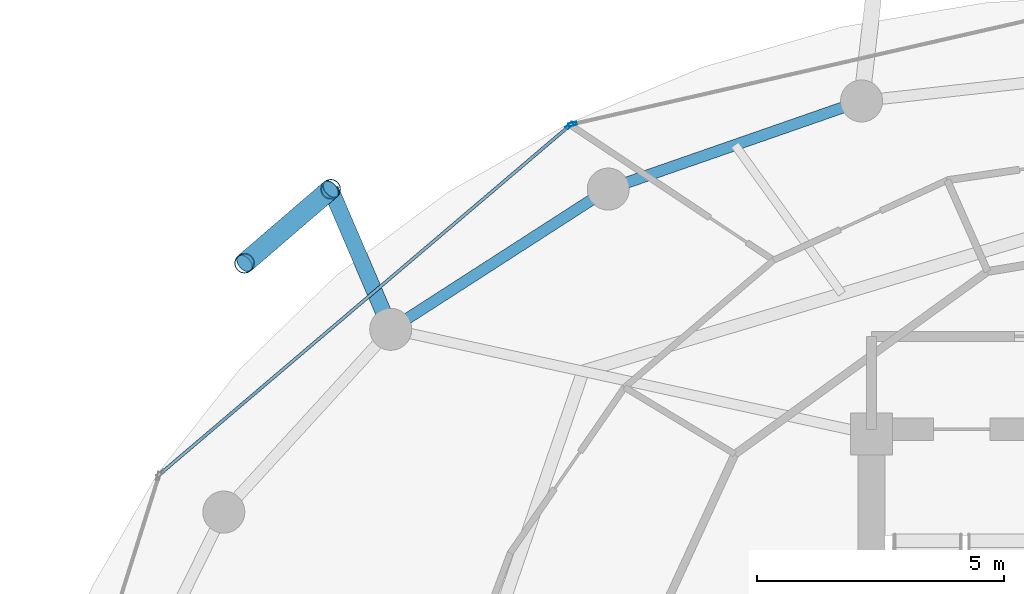
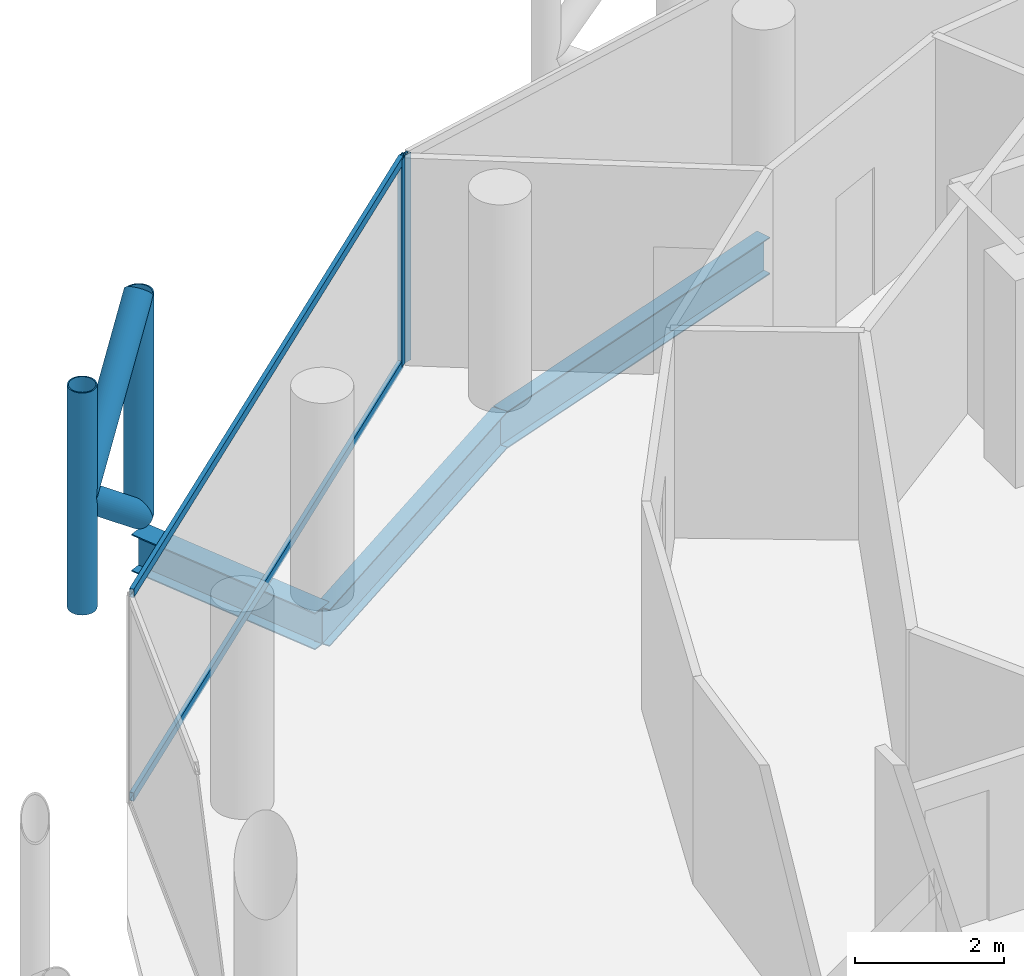
# One storey, part 18 of 27: 8 members, 3 beams, 2 elements without a shape of their own.
"""IFC4 building model written with IfcOpenShell, lengths in metres."""

from ifc_helpers import new_model, si_unit, direction, frame, origin, origin_2d, place, context, subcontext, project, spatial, hollow_rectangle, hollow_circle, i_section, extrude, material, layer, layer_set, material_profile, profile_set, type_object, element, aggregate, save


model = new_model("IFC4")

# Units and contexts
model_context = context("Model", 3, precision=1e-05, world=origin(), true_north=direction((0.0, 1.0)))
body_context = subcontext(model_context, "Body", "Model", "MODEL_VIEW")
ifc_project = project(units=[si_unit("LENGTHUNIT", "METRE"), si_unit("AREAUNIT", "SQUARE_METRE"), si_unit("VOLUMEUNIT", "CUBIC_METRE"), si_unit("PLANEANGLEUNIT", "RADIAN"), si_unit("MASSUNIT", "GRAM", prefix="KILO")], contexts=[model_context])

# Site, building, storey
site_placement = place(None, origin())
site = spatial("IfcSite", under=ifc_project, at=site_placement, CompositionType="ELEMENT")
building_placement = place(site_placement, origin())
building = spatial("IfcBuilding", under=site, at=building_placement, Name="Nuhasar Tower", CompositionType="ELEMENT")
storey_placement = place(building_placement, frame((0.0, 0.0, 230.050048828125)))
storey = spatial("IfcBuildingStorey", under=building, at=storey_placement, Name="L56", CompositionType="ELEMENT", Elevation=230.050048828125)

# Beams
ifc_material_1 = material(Name="Steel S355", Category="steel")
ifc_material_profile_1 = material_profile(ifc_material_1, i_section(OverallWidth=0.22802734375, OverallDepth=0.60791015625, WebThickness=0.01123046875, FlangeThickness=0.017333984375, at=origin_2d()), Name="W24X76")
ifc_profile_set_1 = profile_set([ifc_material_profile_1], Name="Steel S355")
beam_type_1 = type_object("IfcBeamType", Name="BM-RING-W24X76", PredefinedType="SPANDREL", material=ifc_profile_set_1)
beam_1_placement = place(storey_placement, frame((33.5, 44.0419921875, -0.5439453125), z_axis=(-0.944476764686, -0.328578211342, 0.0), x_axis=(0.328578211342, -0.944476764686, 0.0)))
element("IfcBeam", 1, at=beam_1_placement, inside=storey, type_object=beam_type_1, Name="L56 Perimeter Ring Spandrel 08", PredefinedType="SPANDREL", context=body_context, shape_type="SweptSolid", body=[
    extrude(i_section(OverallWidth=0.22802734375, OverallDepth=0.60791015625, WebThickness=0.01123046875, FlangeThickness=0.017333984375, at=origin_2d()), origin(), (0.0, 0.0, 1.0), 5.42626953125),
])
beam_2_placement = place(storey_placement, frame((28.375, 42.259033203125, -0.5439453125), z_axis=(-0.840502144969, -0.541808217272, 0.0), x_axis=(0.541808217272, -0.840502144969, 0.0)))
element("IfcBeam", 2, at=beam_2_placement, inside=storey, type_object=beam_type_1, Name="L56 Perimeter Ring Spandrel 09", PredefinedType="SPANDREL", context=body_context, shape_type="SweptSolid", body=[
    extrude(i_section(OverallWidth=0.22802734375, OverallDepth=0.60791015625, WebThickness=0.01123046875, FlangeThickness=0.017333984375, at=origin_2d()), origin(), (0.0, 0.0, 1.0), 5.236083984375),
])
ifc_material_profile_2 = material_profile(ifc_material_1, i_section(OverallWidth=0.323974609375, OverallDepth=0.611083984375, WebThickness=0.0126953125, FlangeThickness=0.01904296875, at=origin_2d()), Name="W24X104")
ifc_profile_set_2 = profile_set([ifc_material_profile_2], Name="Steel S355")
beam_type_2 = type_object("IfcBeamType", Name="BM-TIE-W24X104", PredefinedType="BEAM", material=ifc_profile_set_2)
beam_3_placement = place(storey_placement, frame((23.97412109375, 39.422119140625, -0.545166015625), z_axis=(-0.393680429682, 0.919247365667, 0.0), x_axis=(-0.919247365667, -0.393680429682, 0.0)))
element("IfcBeam", 3, at=beam_3_placement, inside=storey, type_object=beam_type_2, Name="L56 Exoskeleton Node Tie Beam 05", PredefinedType="BEAM", context=body_context, shape_type="SweptSolid", body=[
    extrude(i_section(OverallWidth=0.323974609375, OverallDepth=0.611083984375, WebThickness=0.0126953125, FlangeThickness=0.01904296875, at=origin_2d()), origin(), (0.0, 0.0, 1.0), 3.083984375),
])

# Curtain wall, member
ifc_material_2 = material(Name="Aluminium 6063-T6", Category="aluminium")
ifc_layer = layer(ifc_material_2, 0.18994140625)
ifc_layer_set = layer_set([ifc_layer], Name="Aluminium 6063-T6")
curtain_wall_type = type_object("IfcCurtainWallType", Name="CW-Z3-RES", PredefinedType="NOTDEFINED", material=ifc_layer_set)
curtain_wall_1_placement = place(storey_placement, origin())
curtain_wall_1 = element("IfcCurtainWall", 4, at=curtain_wall_1_placement, inside=storey, type_object=curtain_wall_type, Name="L56 Unitised Curtain Wall 04", PredefinedType="NOTDEFINED")
ifc_material_profile_3 = material_profile(ifc_material_2, hollow_rectangle(XDim=0.06494140625, YDim=0.169921875, WallThickness=0.0048828125, at=origin_2d()), Name="CWM-4")
ifc_profile_set_3 = profile_set([ifc_material_profile_3], Name="Aluminium 6063-T6")
member_type_1 = type_object("IfcMemberType", Name="CW-MUL-S4", PredefinedType="MULLION", material=ifc_profile_set_3)
member_1_placement = place(storey_placement, frame((27.651611328125, 43.5732421875, 0.0), z_axis=(0.0, 0.0, 1.0), x_axis=(0.222243176313, -0.974991266926, 0.0)))
member_1 = element("IfcMember", 5, at=member_1_placement, type_object=member_type_1, Name="CW-Z3 mullion 2", PredefinedType="MULLION", context=body_context, shape_type="SweptSolid", body=[
    extrude(hollow_rectangle(XDim=0.06494140625, YDim=0.169921875, WallThickness=0.0048828125, at=origin_2d()), origin(), (0.0, 0.0, 1.0), 3.409912109375),
])
aggregate(curtain_wall_1, [member_1])

# Curtain wall, members
curtain_wall_2_placement = place(storey_placement, origin())
curtain_wall_2 = element("IfcCurtainWall", 6, at=curtain_wall_2_placement, inside=storey, type_object=curtain_wall_type, Name="L56 Unitised Curtain Wall 05", PredefinedType="NOTDEFINED")
member_2_placement = place(storey_placement, frame((27.59521484375, 43.544921875, 0.0), z_axis=(0.0, 0.0, 1.0), x_axis=(0.64789521578, -0.761729472562, 0.0)))
member_2 = element("IfcMember", 7, at=member_2_placement, type_object=member_type_1, Name="CW-Z3 mullion 1", PredefinedType="MULLION", context=body_context, shape_type="SweptSolid", body=[
    extrude(hollow_rectangle(XDim=0.06494140625, YDim=0.169921875, WallThickness=0.0048828125, at=origin_2d()), origin(), (0.0, 0.0, 1.0), 3.409912109375),
])
ifc_material_profile_4 = material_profile(ifc_material_2, hollow_rectangle(XDim=0.06494140625, YDim=0.139892578125, WallThickness=0.00439453125, at=origin_2d()), Name="CWT-4")
ifc_profile_set_4 = profile_set([ifc_material_profile_4], Name="Aluminium 6063-T6")
member_type_2 = type_object("IfcMemberType", Name="CW-TRN-S4", PredefinedType="USERDEFINED", material=ifc_profile_set_4)
member_3_placement = place(storey_placement, frame((27.570556640625, 43.52392578125, 0.032470703125), z_axis=(-0.761730809511, -0.647893643928, 0.0), x_axis=(0.647893643928, -0.761730809511, 0.0)))
member_3 = element("IfcMember", 8, at=member_3_placement, type_object=member_type_2, Name="CW-Z3 transom 1.1", ObjectType="TRANSOM", PredefinedType="USERDEFINED", context=body_context, shape_type="SweptSolid", body=[
    extrude(hollow_rectangle(XDim=0.06494140625, YDim=0.139892578125, WallThickness=0.00439453125, at=origin_2d()), origin(), (0.0, 0.0, 1.0), 10.806884765625),
])
member_4_placement = place(storey_placement, frame((27.570556640625, 43.52392578125, 3.37744140625), z_axis=(-0.761730809511, -0.647893643928, 0.0), x_axis=(0.647893643928, -0.761730809511, 0.0)))
member_4 = element("IfcMember", 9, at=member_4_placement, type_object=member_type_2, Name="CW-Z3 transom 1.2", ObjectType="TRANSOM", PredefinedType="USERDEFINED", context=body_context, shape_type="SweptSolid", body=[
    extrude(hollow_rectangle(XDim=0.06494140625, YDim=0.139892578125, WallThickness=0.00439453125, at=origin_2d()), origin(), (0.0, 0.0, 1.0), 10.806884765625),
])
aggregate(curtain_wall_2, [member_2, member_3, member_4])

# Members
ifc_material_3 = material(Name="Steel S460", Category="steel")
ifc_material_profile_5 = material_profile(ifc_material_3, hollow_circle(Radius=0.203125, WallThickness=0.01904296875, at=origin_2d()), Name="HSS406.4X19.1")
ifc_profile_set_5 = profile_set([ifc_material_profile_5], Name="Steel S460")
member_type_3 = type_object("IfcMemberType", Name="EXO-BRONZE-406", PredefinedType="BRACE", material=ifc_profile_set_5)
for number, where, z_axis, x_axis, name in (
    (10, (22.760009765625, 42.257080078125, 0.0), (0.0, 0.0, 1.0), (1.0, 0.0, 0.0), "L56 Exoskeleton Chord Column EC-05A"),
    (11, (21.01611328125, 40.758056640625, 0.0), (0.0, 0.0, 1.0), (1.0, 0.0, 0.0), "L56 Exoskeleton Chord Column EC-05B"),
):
    element("IfcMember", number, at=place(storey_placement, frame(where, z_axis=z_axis, x_axis=x_axis)), inside=storey, type_object=member_type_3, Name=name, PredefinedType="BRACE", context=body_context, shape_type="SweptSolid", body=[
        extrude(hollow_circle(Radius=0.203125, WallThickness=0.01904296875, at=origin_2d()), origin(), (0.0, 0.0, 1.0), 3.64990234375),
    ])
for number, where, z_axis, x_axis, name in (
    (12, (22.760009765625, 42.257080078125, 0.0), (-0.594018535389, -0.510608120858, 0.621627964725), (0.65185738425, -0.758341579104, 0.0), "L56 Bronze Diagrid Brace W1-05"),
    (13, (21.01611328125, 40.758056640625, 1.824951171875), (0.594018535389, 0.510608120858, 0.621627964725), (-0.65185738425, 0.758341579104, 0.0), "L56 Bronze Diagrid Brace W2-05"),
):
    element("IfcMember", number, at=place(storey_placement, frame(where, z_axis=z_axis, x_axis=x_axis)), inside=storey, type_object=member_type_3, Name=name, PredefinedType="BRACE", context=body_context, shape_type="SweptSolid", body=[
        extrude(hollow_circle(Radius=0.203125, WallThickness=0.01904296875, at=origin_2d()), origin(), (0.0, 0.0, 1.0), 2.935791015625),
    ])

save(model, "model.ifc")
